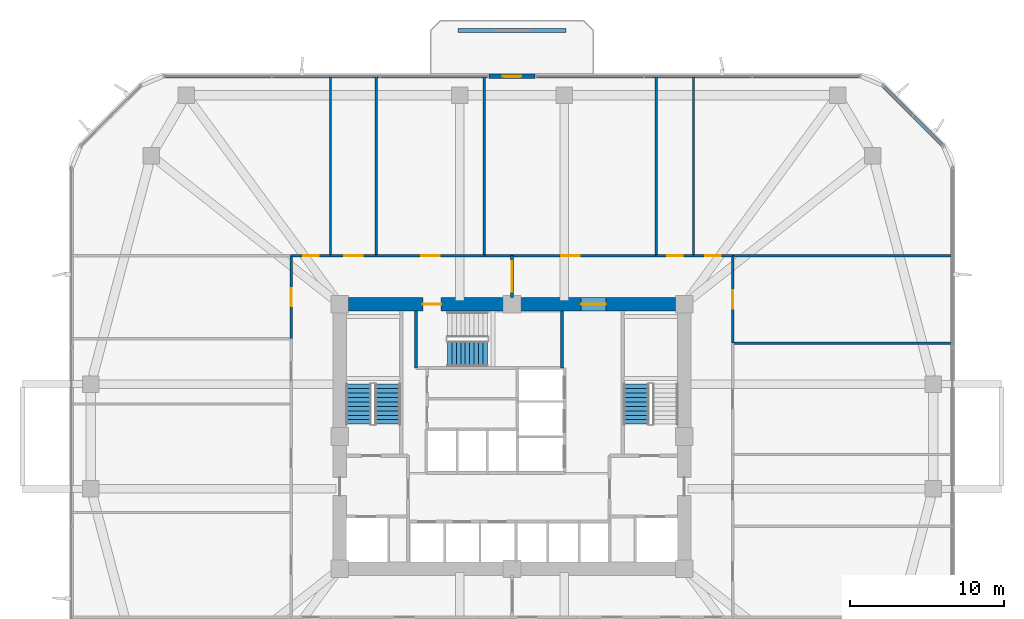
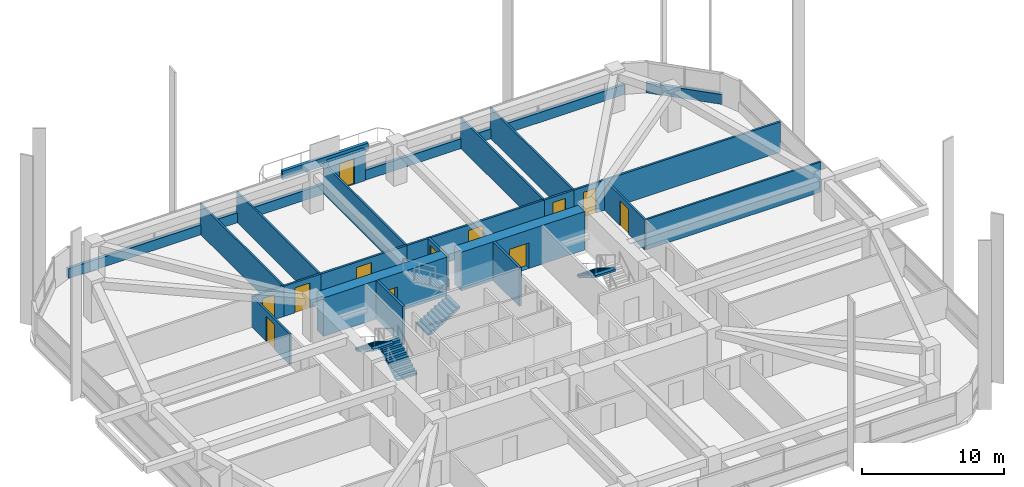
# One storey, part 11 of 17: 25 walls, 12 doors, 4 stair flights, 12 openings, 3 elements without a shape of their own.
"""IFC4 building model written with IfcOpenShell, lengths in metres."""

from ifc_helpers import new_model, si_unit, derived_unit, direction, frame, frame_2d, origin, place, context, subcontext, project, spatial, polyline, rectangle, outline, extrude, material, layer, layer_set, type_object, element, fill, aggregate, save


model = new_model("IFC4")

# Units and contexts
model_context = context("Model", 3, precision=1e-05, world=origin(), true_north=direction((0.0, 1.0)))
body_context = subcontext(model_context, "Body", "Model", "MODEL_VIEW")
ifc_project = project(units=[si_unit("LENGTHUNIT", "METRE"), si_unit("AREAUNIT", "SQUARE_METRE"), si_unit("VOLUMEUNIT", "CUBIC_METRE"), si_unit("PLANEANGLEUNIT", "RADIAN"), si_unit("MASSUNIT", "GRAM", prefix="KILO"), derived_unit("THERMALTRANSMITTANCEUNIT", [(si_unit("POWERUNIT", "WATT"), 1), (si_unit("LENGTHUNIT", "METRE"), -2), (si_unit("THERMODYNAMICTEMPERATUREUNIT", "KELVIN"), -1)])], contexts=[model_context])

# Site, building, storey
site_placement = place(None, origin())
site = spatial("IfcSite", under=ifc_project, at=site_placement, CompositionType="ELEMENT")
building_placement = place(site_placement, origin())
building = spatial("IfcBuilding", under=site, at=building_placement, Name="Koralith Skygarden Medical Center", CompositionType="ELEMENT")
storey_placement = place(building_placement, frame((0.0, 0.0, 38.340087890625)))
storey = spatial("IfcBuildingStorey", under=building, at=storey_placement, Name="L09", CompositionType="ELEMENT", Elevation=38.340087890625)

# Walls
ifc_material_1 = material(Name="Gypsum Board Partition")
ifc_layer_1 = layer(ifc_material_1, 0.14990234375)
ifc_layer_set_1 = layer_set([ifc_layer_1], Name="Gypsum Board Partition")
wall_type_1 = type_object("IfcWallType", Name="Clinical Acoustic Partition 150", PredefinedType="PARTITIONING", material=ifc_layer_set_1)
for number, where, z_axis, x_axis, name in (
    (1, (25.199951171875, 37.64990234375, 0.0), (0.0, 0.0, 1.0), (0.0, 1.0, 0.0), "L09 Clinical Acoustic Partition 150 W-PART-L09-N-01"),
    (2, (28.174072265625, 37.64990234375, 0.0), (0.0, 0.0, 1.0), (0.0, 1.0, 0.0), "L09 Clinical Acoustic Partition 150 W-PART-L09-N-02"),
    (3, (35.199951171875, 37.64990234375, 0.0), (0.0, 0.0, 1.0), (0.0, 1.0, 0.0), "L09 Clinical Acoustic Partition 150 W-PART-L09-N-03"),
    (4, (46.376953125, 37.64990234375, 0.0), (0.0, 0.0, 1.0), (0.0, 1.0, 0.0), "L09 Clinical Acoustic Partition 150 W-PART-L09-N-04"),
    (5, (48.800048828125, 37.64990234375, 0.0), (0.0, 0.0, 1.0), (0.0, 1.0, 0.0), "L09 Clinical Acoustic Partition 150 W-PART-L09-N-05"),
):
    element("IfcWall", number, at=place(storey_placement, frame(where, z_axis=z_axis, x_axis=x_axis)), inside=storey, type_object=wall_type_1, Name=name, PredefinedType="PARTITIONING", context=body_context, shape_type="SweptSolid", body=[
        extrude(rectangle(XDim=11.650146484375, YDim=0.14990234375, at=frame_2d((5.8251953125, 0.0))), origin(), (0.0, 0.0, 1.0), 2.60986328125),
    ])
wall_1_placement = place(storey_placement, frame((51.35009765625, 31.962890625, 0.0), z_axis=(0.0, 0.0, 1.0), x_axis=(1.0, 0.0, 0.0)))
element("IfcWall", 6, at=wall_1_placement, inside=storey, type_object=wall_type_1, Name="L09 Clinical Acoustic Partition 150 W-PART-L09-E-03", PredefinedType="PARTITIONING", context=body_context, shape_type="SweptSolid", body=[
    extrude(rectangle(XDim=14.25, YDim=0.14990234375, at=frame_2d((7.125, 0.0))), origin(), (0.0, 0.0, 1.0), 2.60986328125),
])
ifc_layer_2 = layer(ifc_material_1, 0.1650390625)
ifc_layer_set_2 = layer_set([ifc_layer_2], Name="Gypsum Board Partition")
wall_type_2 = type_object("IfcWallType", Name="Clinical Corridor Partition 165", PredefinedType="PARTITIONING", material=ifc_layer_set_2)
wall_2_placement = place(storey_placement, frame((51.35009765625, 37.64990234375, 0.0), z_axis=(0.0, 0.0, 1.0), x_axis=(1.0, 0.0, 0.0)))
element("IfcWall", 7, at=wall_2_placement, inside=storey, type_object=wall_type_2, Name="L09 Clinical Corridor Partition 165 W-WB-L09-NE", PredefinedType="PARTITIONING", context=body_context, shape_type="SweptSolid", body=[
    extrude(rectangle(XDim=14.25, YDim=0.1650390625, at=frame_2d((7.125, 0.0))), origin(), (0.0, 0.0, 1.0), 2.60986328125),
])

# Wall, opening, door
wall_3_placement = place(storey_placement, frame((22.64990234375, 37.64990234375, 0.0), z_axis=(0.0, 0.0, 1.0), x_axis=(1.0, 0.0, 0.0)))
wall_3 = element("IfcWall", 8, at=wall_3_placement, inside=storey, type_object=wall_type_2, Name="L09 Clinical Corridor Partition 165 W-CORR-L09-N-01", PredefinedType="PARTITIONING", context=body_context, shape_type="SweptSolid", body=[
    extrude(rectangle(XDim=2.550048828125, YDim=0.1650390625, at=frame_2d((1.27490234375, 0.0))), origin(), (0.0, 0.0, 1.0), 2.60986328125),
])
opening_1_placement = place(wall_3_placement, frame((0.77490234375, 0.0, 0.0)))
opening_1 = element("IfcOpeningElement", 9, at=opening_1_placement, cuts=wall_3, Name="Opening D-SUP", PredefinedType="OPENING", context=body_context, shape_type="SweptSolid", body=[
    extrude(rectangle(XDim=1.0, YDim=2.14990234375, at=frame_2d((0.5, 1.074951171875))), frame((0.0, 0.092529296875, 0.0), z_axis=(0.0, -1.0, 0.0), x_axis=(1.0, 0.0, 0.0)), (0.0, 0.0, 1.0), 0.18505859375),
])
ifc_material_2 = material(Name="Aluminium 6063-T6", Category="aluminium")
door_type_1 = type_object("IfcDoorType", Name="Clinical Support Door D-SUP 1000", OperationType="NOTDEFINED", PredefinedType="DOOR", material=ifc_material_2)
door_1_placement = place(opening_1_placement, origin())
door_1 = element("IfcDoor", 10, at=door_1_placement, inside=storey, type_object=door_type_1, Name="L09 Ward Mobility Therapy Exercise Hall 01 Door", OperationType="SINGLE_SWING_RIGHT", OverallHeight=2.14990234375, OverallWidth=1.0, PredefinedType="DOOR", context=body_context, shape_type="SweptSolid", body=[
    extrude(rectangle(XDim=1.0, YDim=2.14990234375, at=frame_2d((0.5, 1.074951171875))), frame((0.0, 0.02490234375, 0.0), z_axis=(0.0, -1.0, 0.0), x_axis=(1.0, 0.0, 0.0)), (0.0, 0.0, 1.0), 0.050048828125),
])
fill(opening_1, door_1)

wall_4_placement = place(storey_placement, frame((25.199951171875, 37.64990234375, 0.0), z_axis=(0.0, 0.0, 1.0), x_axis=(1.0, 0.0, 0.0)))
wall_4 = element("IfcWall", 11, at=wall_4_placement, inside=storey, type_object=wall_type_2, Name="L09 Clinical Corridor Partition 165 W-CORR-L09-N-02", PredefinedType="PARTITIONING", context=body_context, shape_type="SweptSolid", body=[
    extrude(rectangle(XDim=2.97412109375, YDim=0.1650390625, at=frame_2d((1.487060546875, 0.0))), origin(), (0.0, 0.0, 1.0), 2.60986328125),
])
opening_2_placement = place(wall_4_placement, frame((0.886962890625, 0.0, 0.0)))
opening_2 = element("IfcOpeningElement", 12, at=opening_2_placement, cuts=wall_4, Name="Opening D-CLN", PredefinedType="OPENING", context=body_context, shape_type="SweptSolid", body=[
    extrude(rectangle(XDim=1.199951171875, YDim=2.14990234375, at=frame_2d((0.60009765625, 1.074951171875))), frame((0.0, 0.092529296875, 0.0), z_axis=(0.0, -1.0, 0.0), x_axis=(1.0, 0.0, 0.0)), (0.0, 0.0, 1.0), 0.18505859375),
])
door_type_2 = type_object("IfcDoorType", Name="Clinical Corridor Door D-CLN 1200", OperationType="NOTDEFINED", PredefinedType="DOOR", material=ifc_material_2)
door_2_placement = place(opening_2_placement, origin())
door_2 = element("IfcDoor", 13, at=door_2_placement, inside=storey, type_object=door_type_2, Name="L09 Diagnostic Ultrasound Exam Room 02 Door", OperationType="SINGLE_SWING_LEFT", OverallHeight=2.14990234375, OverallWidth=1.199951171875, PredefinedType="DOOR", context=body_context, shape_type="SweptSolid", body=[
    extrude(rectangle(XDim=1.199951171875, YDim=2.14990234375, at=frame_2d((0.60009765625, 1.074951171875))), frame((0.0, 0.02490234375, 0.0), z_axis=(0.0, -1.0, 0.0), x_axis=(1.0, 0.0, 0.0)), (0.0, 0.0, 1.0), 0.050048828125),
])
fill(opening_2, door_2)

wall_5_placement = place(storey_placement, frame((28.174072265625, 37.64990234375, 0.0), z_axis=(0.0, 0.0, 1.0), x_axis=(1.0, 0.0, 0.0)))
wall_5 = element("IfcWall", 14, at=wall_5_placement, inside=storey, type_object=wall_type_2, Name="L09 Clinical Corridor Partition 165 W-CORR-L09-N-03", PredefinedType="PARTITIONING", context=body_context, shape_type="SweptSolid", body=[
    extrude(rectangle(XDim=7.02587890625, YDim=0.1650390625, at=frame_2d((3.512939453125, 0.0))), origin(), (0.0, 0.0, 1.0), 2.60986328125),
])
opening_3_placement = place(wall_5_placement, frame((2.9130859375, 0.0, 0.0)))
opening_3 = element("IfcOpeningElement", 15, at=opening_3_placement, cuts=wall_5, Name="Opening D-CLN", PredefinedType="OPENING", context=body_context, shape_type="SweptSolid", body=[
    extrude(rectangle(XDim=1.199951171875, YDim=2.14990234375, at=frame_2d((0.60009765625, 1.074951171875))), frame((0.0, 0.092529296875, 0.0), z_axis=(0.0, -1.0, 0.0), x_axis=(1.0, 0.0, 0.0)), (0.0, 0.0, 1.0), 0.18505859375),
])
door_3_placement = place(opening_3_placement, origin())
door_3 = element("IfcDoor", 16, at=door_3_placement, inside=storey, type_object=door_type_2, Name="L09 Multidisciplinary Huddle Room 03 Door", OperationType="SINGLE_SWING_RIGHT", OverallHeight=2.14990234375, OverallWidth=1.199951171875, PredefinedType="DOOR", context=body_context, shape_type="SweptSolid", body=[
    extrude(rectangle(XDim=1.199951171875, YDim=2.14990234375, at=frame_2d((0.60009765625, 1.074951171875))), frame((0.0, 0.02490234375, 0.0), z_axis=(0.0, -1.0, 0.0), x_axis=(1.0, 0.0, 0.0)), (0.0, 0.0, 1.0), 0.050048828125),
])
fill(opening_3, door_3)

wall_6_placement = place(storey_placement, frame((35.199951171875, 37.64990234375, 0.0), z_axis=(0.0, 0.0, 1.0), x_axis=(1.0, 0.0, 0.0)))
wall_6 = element("IfcWall", 17, at=wall_6_placement, inside=storey, type_object=wall_type_2, Name="L09 Clinical Corridor Partition 165 W-CORR-L09-N-04", PredefinedType="PARTITIONING", context=body_context, shape_type="SweptSolid", body=[
    extrude(rectangle(XDim=11.177001953125, YDim=0.1650390625, at=frame_2d((5.58837890625, 0.0))), origin(), (0.0, 0.0, 1.0), 2.60986328125),
])
opening_4_placement = place(wall_6_placement, frame((4.989013671875, 0.0, 0.0)))
opening_4 = element("IfcOpeningElement", 18, at=opening_4_placement, cuts=wall_6, Name="Opening D-CLN", PredefinedType="OPENING", context=body_context, shape_type="SweptSolid", body=[
    extrude(rectangle(XDim=1.199951171875, YDim=2.14990234375, at=frame_2d((0.60009765625, 1.074951171875))), frame((0.0, 0.092529296875, 0.0), z_axis=(0.0, -1.0, 0.0), x_axis=(1.0, 0.0, 0.0)), (0.0, 0.0, 1.0), 0.18505859375),
])
door_4_placement = place(opening_4_placement, origin())
door_4 = element("IfcDoor", 19, at=door_4_placement, inside=storey, type_object=door_type_2, Name="L09 Patient and Family Sky-Garden Day Lounge 04 Door", OperationType="SINGLE_SWING_LEFT", OverallHeight=2.14990234375, OverallWidth=1.199951171875, PredefinedType="DOOR", context=body_context, shape_type="SweptSolid", body=[
    extrude(rectangle(XDim=1.199951171875, YDim=2.14990234375, at=frame_2d((0.60009765625, 1.074951171875))), frame((0.0, 0.02490234375, 0.0), z_axis=(0.0, -1.0, 0.0), x_axis=(1.0, 0.0, 0.0)), (0.0, 0.0, 1.0), 0.050048828125),
])
fill(opening_4, door_4)

wall_7_placement = place(storey_placement, frame((46.376953125, 37.64990234375, 0.0), z_axis=(0.0, 0.0, 1.0), x_axis=(1.0, 0.0, 0.0)))
wall_7 = element("IfcWall", 20, at=wall_7_placement, inside=storey, type_object=wall_type_2, Name="L09 Clinical Corridor Partition 165 W-CORR-L09-N-05", PredefinedType="PARTITIONING", context=body_context, shape_type="SweptSolid", body=[
    extrude(rectangle(XDim=2.423095703125, YDim=0.1650390625, at=frame_2d((1.21142578125, 0.0))), origin(), (0.0, 0.0, 1.0), 2.60986328125),
])
opening_5_placement = place(wall_7_placement, frame((0.7109375, 0.0, 0.0)))
opening_5 = element("IfcOpeningElement", 21, at=opening_5_placement, cuts=wall_7, Name="Opening D-SUP", PredefinedType="OPENING", context=body_context, shape_type="SweptSolid", body=[
    extrude(rectangle(XDim=1.0, YDim=2.14990234375, at=frame_2d((0.5, 1.074951171875))), frame((0.0, 0.092529296875, 0.0), z_axis=(0.0, -1.0, 0.0), x_axis=(1.0, 0.0, 0.0)), (0.0, 0.0, 1.0), 0.18505859375),
])
door_5_placement = place(opening_5_placement, origin())
door_5 = element("IfcDoor", 22, at=door_5_placement, inside=storey, type_object=door_type_1, Name="L09 Public Accessible Restroom WC 05 Door", OperationType="SINGLE_SWING_RIGHT", OverallHeight=2.14990234375, OverallWidth=1.0, PredefinedType="DOOR", context=body_context, shape_type="SweptSolid", body=[
    extrude(rectangle(XDim=1.0, YDim=2.14990234375, at=frame_2d((0.5, 1.074951171875))), frame((0.0, 0.02490234375, 0.0), z_axis=(0.0, -1.0, 0.0), x_axis=(1.0, 0.0, 0.0)), (0.0, 0.0, 1.0), 0.050048828125),
])
fill(opening_5, door_5)

wall_8_placement = place(storey_placement, frame((48.800048828125, 37.64990234375, 0.0), z_axis=(0.0, 0.0, 1.0), x_axis=(1.0, 0.0, 0.0)))
wall_8 = element("IfcWall", 23, at=wall_8_placement, inside=storey, type_object=wall_type_2, Name="L09 Clinical Corridor Partition 165 W-CORR-L09-N-06", PredefinedType="PARTITIONING", context=body_context, shape_type="SweptSolid", body=[
    extrude(rectangle(XDim=2.550048828125, YDim=0.1650390625, at=frame_2d((1.27490234375, 0.0))), origin(), (0.0, 0.0, 1.0), 2.60986328125),
])
opening_6_placement = place(wall_8_placement, frame((0.77490234375, 0.0, 0.0)))
opening_6 = element("IfcOpeningElement", 24, at=opening_6_placement, cuts=wall_8, Name="Opening D-SUP", PredefinedType="OPENING", context=body_context, shape_type="SweptSolid", body=[
    extrude(rectangle(XDim=1.0, YDim=2.14990234375, at=frame_2d((0.5, 1.074951171875))), frame((0.0, 0.092529296875, 0.0), z_axis=(0.0, -1.0, 0.0), x_axis=(1.0, 0.0, 0.0)), (0.0, 0.0, 1.0), 0.18505859375),
])
door_6_placement = place(opening_6_placement, origin())
door_6 = element("IfcDoor", 25, at=door_6_placement, inside=storey, type_object=door_type_1, Name="L09 Ward Mobility Therapy Exercise Hall 06 Door", OperationType="SINGLE_SWING_LEFT", OverallHeight=2.14990234375, OverallWidth=1.0, PredefinedType="DOOR", context=body_context, shape_type="SweptSolid", body=[
    extrude(rectangle(XDim=1.0, YDim=2.14990234375, at=frame_2d((0.5, 1.074951171875))), frame((0.0, 0.02490234375, 0.0), z_axis=(0.0, -1.0, 0.0), x_axis=(1.0, 0.0, 0.0)), (0.0, 0.0, 1.0), 0.050048828125),
])
fill(opening_6, door_6)

wall_9_placement = place(storey_placement, frame((22.64990234375, 32.25390625, 0.0), z_axis=(0.0, 0.0, 1.0), x_axis=(0.0, 1.0, 0.0)))
wall_9 = element("IfcWall", 26, at=wall_9_placement, inside=storey, type_object=wall_type_2, Name="L09 Clinical Corridor Partition 165 W-CORR-L09-W-04", PredefinedType="PARTITIONING", context=body_context, shape_type="SweptSolid", body=[
    extrude(rectangle(XDim=5.39599609375, YDim=0.1650390625, at=frame_2d((2.697998046875, 0.0))), origin(), (0.0, 0.0, 1.0), 2.60986328125),
])
opening_7_placement = place(wall_9_placement, frame((2.097900390625, 0.0, 0.0)))
opening_7 = element("IfcOpeningElement", 27, at=opening_7_placement, cuts=wall_9, Name="Opening D-CLN", PredefinedType="OPENING", context=body_context, shape_type="SweptSolid", body=[
    extrude(rectangle(XDim=1.199951171875, YDim=2.14990234375, at=frame_2d((0.60009765625, 1.074951171875))), frame((0.0, 0.092529296875, 0.0), z_axis=(0.0, -1.0, 0.0), x_axis=(1.0, 0.0, 0.0)), (0.0, 0.0, 1.0), 0.18505859375),
])
door_7_placement = place(opening_7_placement, frame((1.199951171875, 0.0, 0.0), z_axis=(0.0, 0.0, 1.0), x_axis=(-1.0, 0.0, 0.0)))
door_7 = element("IfcDoor", 28, at=door_7_placement, inside=storey, type_object=door_type_2, Name="L09 Diagnostic Ultrasound Exam Room 16 Door", OperationType="SINGLE_SWING_LEFT", OverallHeight=2.14990234375, OverallWidth=1.199951171875, PredefinedType="DOOR", context=body_context, shape_type="SweptSolid", body=[
    extrude(rectangle(XDim=1.199951171875, YDim=2.14990234375, at=frame_2d((0.60009765625, 1.074951171875))), frame((0.0, 0.02490234375, 0.0), z_axis=(0.0, -1.0, 0.0), x_axis=(1.0, 0.0, 0.0)), (0.0, 0.0, 1.0), 0.050048828125),
])
fill(opening_7, door_7)

wall_10_placement = place(storey_placement, frame((51.35009765625, 31.962890625, 0.0), z_axis=(0.0, 0.0, 1.0), x_axis=(0.0, 1.0, 0.0)))
wall_10 = element("IfcWall", 29, at=wall_10_placement, inside=storey, type_object=wall_type_2, Name="L09 Clinical Corridor Partition 165 W-CORR-L09-E-04", PredefinedType="PARTITIONING", context=body_context, shape_type="SweptSolid", body=[
    extrude(rectangle(XDim=5.68701171875, YDim=0.1650390625, at=frame_2d((2.843505859375, 0.0))), origin(), (0.0, 0.0, 1.0), 2.60986328125),
])
opening_8_placement = place(wall_10_placement, frame((2.242919921875, 0.0, 0.0)))
opening_8 = element("IfcOpeningElement", 30, at=opening_8_placement, cuts=wall_10, Name="Opening D-CLN", PredefinedType="OPENING", context=body_context, shape_type="SweptSolid", body=[
    extrude(rectangle(XDim=1.199951171875, YDim=2.14990234375, at=frame_2d((0.60009765625, 1.074951171875))), frame((0.0, 0.092529296875, 0.0), z_axis=(0.0, -1.0, 0.0), x_axis=(1.0, 0.0, 0.0)), (0.0, 0.0, 1.0), 0.18505859375),
])
door_8_placement = place(opening_8_placement, origin())
door_8 = element("IfcDoor", 31, at=door_8_placement, inside=storey, type_object=door_type_2, Name="L09 Diagnostic Ultrasound Exam Room 20 Door", OperationType="SINGLE_SWING_LEFT", OverallHeight=2.14990234375, OverallWidth=1.199951171875, PredefinedType="DOOR", context=body_context, shape_type="SweptSolid", body=[
    extrude(rectangle(XDim=1.199951171875, YDim=2.14990234375, at=frame_2d((0.60009765625, 1.074951171875))), frame((0.0, 0.02490234375, 0.0), z_axis=(0.0, -1.0, 0.0), x_axis=(1.0, 0.0, 0.0)), (0.0, 0.0, 1.0), 0.050048828125),
])
fill(opening_8, door_8)

ifc_layer_3 = layer(ifc_material_1, 0.179931640625)
ifc_layer_set_3 = layer_set([ifc_layer_3], Name="Gypsum Board Partition")
wall_type_3 = type_object("IfcWallType", Name="Group I-2 Smoke Barrier Wall 180", PredefinedType="PARTITIONING", material=ifc_layer_set_3)
wall_11_placement = place(storey_placement, frame((37.0, 34.949951171875, 0.0), z_axis=(0.0, 0.0, 1.0), x_axis=(0.0, 1.0, 0.0)))
wall_11 = element("IfcWall", 32, at=wall_11_placement, inside=storey, type_object=wall_type_3, Name="L09 Group I-2 Smoke Barrier Wall 180 W-SMK-L09-N", PredefinedType="PARTITIONING", context=body_context, shape_type="SweptSolid", body=[
    extrude(rectangle(XDim=2.699951171875, YDim=0.179931640625, at=frame_2d((1.35009765625, 0.0))), origin(), (0.0, 0.0, 1.0), 2.60986328125),
])
opening_9_placement = place(wall_11_placement, frame((0.35009765625, 0.0, 0.0)))
opening_9 = element("IfcOpeningElement", 33, at=opening_9_placement, cuts=wall_11, Name="Opening D-SMK", PredefinedType="OPENING", context=body_context, shape_type="SweptSolid", body=[
    extrude(rectangle(XDim=2.0, YDim=2.199951171875, at=frame_2d((1.0, 1.10009765625))), frame((0.0, 0.099853515625, 0.0), z_axis=(0.0, -1.0, 0.0), x_axis=(1.0, 0.0, 0.0)), (0.0, 0.0, 1.0), 0.199951171875),
])
ifc_material_3 = material(Name="Steel ASTM A500 Grade C", Category="steel")
door_type_3 = type_object("IfcDoorType", Name="Cross-Corridor Double Smoke Door FD60S 2000", OperationType="NOTDEFINED", PredefinedType="DOOR", material=ifc_material_3)
door_9_placement = place(opening_9_placement, origin())
door_9 = element("IfcDoor", 34, at=door_9_placement, inside=storey, type_object=door_type_3, Name="L09 N Smoke Compartment Cross-Corridor Door", OperationType="DOUBLE_DOOR_SINGLE_SWING", OverallHeight=2.199951171875, OverallWidth=2.0, PredefinedType="DOOR", context=body_context, shape_type="SweptSolid", body=[
    extrude(rectangle(XDim=2.0, YDim=2.199951171875, at=frame_2d((1.0, 1.10009765625))), frame((0.0, 0.02490234375, 0.0), z_axis=(0.0, -1.0, 0.0), x_axis=(1.0, 0.0, 0.0)), (0.0, 0.0, 1.0), 0.050048828125),
])
fill(opening_9, door_9)

# Walls
ifc_material_4 = material(Name="Warm Oolitic Limestone Cladding", Category="masonry")
ifc_layer_4 = layer(ifc_material_4, 0.239990234375)
ifc_layer_set_4 = layer_set([ifc_layer_4], Name="Warm Oolitic Limestone Cladding")
wall_type_4 = type_object("IfcWallType", Name="Limestone Spandrel Sill Backup Wall 240", PredefinedType="SOLIDWALL", material=ifc_layer_set_4)
wall_12_placement = place(storey_placement, frame((65.01904296875, 44.7958984375, 0.0), z_axis=(0.0, 0.0, 1.0), x_axis=(-0.707106781187, 0.707106781187, 0.0)))
element("IfcWall", 35, at=wall_12_placement, inside=storey, type_object=wall_type_4, Name="L09 Sill Spandrel NE", PredefinedType="SOLIDWALL", context=body_context, shape_type="SweptSolid", body=[
    extrude(rectangle(XDim=5.548095703125, YDim=0.239990234375, at=frame_2d((2.77392578125, 0.0))), origin(), (0.0, 0.0, 1.0), 0.849853515625),
])
for number, where, z_axis, x_axis, name in (
    (36, (59.64501953125, 49.320068359375, 0.0), (0.0, 0.0, 1.0), (-1.0, 0.0, 0.0), "L09 Sill Spandrel N-L"),
    (37, (35.4599609375, 49.320068359375, 0.0), (0.0, 0.0, 1.0), (-1.0, 0.0, 0.0), "L09 Sill Spandrel N-R"),
):
    element("IfcWall", number, at=place(storey_placement, frame(where, z_axis=z_axis, x_axis=x_axis)), inside=storey, type_object=wall_type_4, Name=name, PredefinedType="SOLIDWALL", context=body_context, shape_type="SweptSolid", body=[
        extrude(rectangle(XDim=21.10498046875, YDim=0.239990234375, at=frame_2d((10.552490234375, 0.0))), origin(), (0.0, 0.0, 1.0), 0.849853515625),
    ])

# Wall, opening, door
ifc_material_5 = material(Name="Concrete C70/85", Category="concrete")
ifc_layer_5 = layer(ifc_material_5, 0.89990234375)
ifc_layer_set_5 = layer_set([ifc_layer_5], Name="Concrete C70/85")
wall_type_5 = type_object("IfcWallType", Name="Lower Core Shear Wall 900", PredefinedType="SHEAR", material=ifc_layer_set_5)
wall_13_placement = place(storey_placement, frame((47.635009765625, 34.5, 0.0), z_axis=(0.0, 0.0, 1.0), x_axis=(-1.0, 0.0, 0.0)))
wall_13 = element("IfcWall", 38, at=wall_13_placement, inside=storey, type_object=wall_type_5, Name="L09 Core Shear Wall Segment 5", PredefinedType="SHEAR", context=body_context, shape_type="SweptSolid", body=[
    extrude(rectangle(XDim=10.070068359375, YDim=0.89990234375, at=frame_2d((5.03515625, 0.0))), origin(), (0.0, 0.0, 1.0), 3.31982421875),
])
opening_10_placement = place(wall_13_placement, frame((4.534912109375, 0.0, 0.0)))
opening_10 = element("IfcOpeningElement", 39, at=opening_10_placement, cuts=wall_13, Name="Opening D-DBL", PredefinedType="OPENING", context=body_context, shape_type="SweptSolid", body=[
    extrude(rectangle(XDim=1.60009765625, YDim=2.199951171875, at=frame_2d((0.800048828125, 1.10009765625))), frame((0.0, 0.4599609375, 0.0), z_axis=(0.0, -1.0, 0.0), x_axis=(1.0, 0.0, 0.0)), (0.0, 0.0, 1.0), 0.919921875),
])
door_type_4 = type_object("IfcDoorType", Name="Double Clinical Suite Door D-DBL 1600", OperationType="NOTDEFINED", PredefinedType="DOOR", material=ifc_material_2)
door_10_placement = place(opening_10_placement, frame((1.60009765625, 0.0, 0.0), z_axis=(0.0, 0.0, 1.0), x_axis=(-1.0, 0.0, 0.0)))
door_10 = element("IfcDoor", 40, at=door_10_placement, inside=storey, type_object=door_type_4, Name="L09 North-East Corridor to Elevator Lobby Door", OperationType="DOUBLE_DOOR_SINGLE_SWING", OverallHeight=2.199951171875, OverallWidth=1.60009765625, PredefinedType="DOOR", context=body_context, shape_type="SweptSolid", body=[
    extrude(rectangle(XDim=1.60009765625, YDim=2.199951171875, at=frame_2d((0.800048828125, 1.10009765625))), frame((0.0, 0.02490234375, 0.0), z_axis=(0.0, -1.0, 0.0), x_axis=(1.0, 0.0, 0.0)), (0.0, 0.0, 1.0), 0.050048828125),
])
fill(opening_10, door_10)

wall_14_placement = place(storey_placement, frame((36.43505859375, 34.5, 0.0), z_axis=(0.0, 0.0, 1.0), x_axis=(-1.0, 0.0, 0.0)))
wall_14 = element("IfcWall", 41, at=wall_14_placement, inside=storey, type_object=wall_type_5, Name="L09 Core Shear Wall Segment 6", PredefinedType="SHEAR", context=body_context, shape_type="SweptSolid", body=[
    extrude(rectangle(XDim=10.070068359375, YDim=0.89990234375, at=frame_2d((5.03515625, 0.0))), origin(), (0.0, 0.0, 1.0), 3.31982421875),
])
opening_11_placement = place(wall_14_placement, frame((4.034912109375, 0.0, 0.0)))
opening_11 = element("IfcOpeningElement", 42, at=opening_11_placement, cuts=wall_14, Name="Opening D-ST60", PredefinedType="OPENING", context=body_context, shape_type="SweptSolid", body=[
    extrude(rectangle(XDim=1.199951171875, YDim=2.14990234375, at=frame_2d((0.60009765625, 1.074951171875))), frame((0.0, 0.4599609375, 0.0), z_axis=(0.0, -1.0, 0.0), x_axis=(1.0, 0.0, 0.0)), (0.0, 0.0, 1.0), 0.919921875),
])
door_type_5 = type_object("IfcDoorType", Name="Smokeproof Stair Fire Door FD60S 1200", OperationType="NOTDEFINED", PredefinedType="DOOR", material=ifc_material_3)
door_11_placement = place(opening_11_placement, frame((1.199951171875, 0.0, 0.0), z_axis=(0.0, 0.0, 1.0), x_axis=(-1.0, 0.0, 0.0)))
door_11 = element("IfcDoor", 43, at=door_11_placement, inside=storey, type_object=door_type_5, Name="L09 Exit Stair ST3 Fire Door", OperationType="SINGLE_SWING_LEFT", OverallHeight=2.14990234375, OverallWidth=1.199951171875, PredefinedType="DOOR", context=body_context, shape_type="SweptSolid", body=[
    extrude(rectangle(XDim=1.199951171875, YDim=2.14990234375, at=frame_2d((0.60009765625, 1.074951171875))), frame((0.0, 0.02490234375, 0.0), z_axis=(0.0, -1.0, 0.0), x_axis=(1.0, 0.0, 0.0)), (0.0, 0.0, 1.0), 0.050048828125),
])
fill(opening_11, door_11)

ifc_layer_6 = layer(ifc_material_4, 0.300048828125)
ifc_layer_set_6 = layer_set([ifc_layer_6], Name="Warm Oolitic Limestone Cladding")
wall_type_6 = type_object("IfcWallType", Name="Oolitic Limestone Insulated Facade Wall 300", PredefinedType="SOLIDWALL", material=ifc_layer_set_6)
wall_15_placement = place(storey_placement, frame((38.5, 49.320068359375, 0.0), z_axis=(0.0, 0.0, 1.0), x_axis=(-1.0, 0.0, 0.0)))
wall_15 = element("IfcWall", 44, at=wall_15_placement, inside=storey, type_object=wall_type_6, Name="L09 Terrace Portal Wall N", PredefinedType="SOLIDWALL", context=body_context, shape_type="SweptSolid", body=[
    extrude(rectangle(XDim=3.0, YDim=0.300048828125, at=frame_2d((1.5, 0.0))), origin(), (0.0, 0.0, 1.0), 2.64990234375),
])
opening_12_placement = place(wall_15_placement, frame((0.89990234375, 0.0, 0.0)))
opening_12 = element("IfcOpeningElement", 45, at=opening_12_placement, cuts=wall_15, Name="Opening D-BAL", PredefinedType="OPENING", context=body_context, shape_type="SweptSolid", body=[
    extrude(rectangle(XDim=1.199951171875, YDim=2.199951171875, at=frame_2d((0.60009765625, 1.10009765625))), frame((0.0, 0.159912109375, 0.0), z_axis=(0.0, -1.0, 0.0), x_axis=(1.0, 0.0, 0.0)), (0.0, 0.0, 1.0), 0.320068359375),
])
door_type_6 = type_object("IfcDoorType", Name="Planted Balcony Glazed Terrace Door D-BAL 1200", OperationType="NOTDEFINED", PredefinedType="DOOR", material=ifc_material_2)
door_12_placement = place(opening_12_placement, origin())
door_12 = element("IfcDoor", 46, at=door_12_placement, inside=storey, type_object=door_type_6, Name="L09 N Outdoor Terrace Access Door", OperationType="SINGLE_SWING_RIGHT", OverallHeight=2.199951171875, OverallWidth=1.199951171875, PredefinedType="DOOR", context=body_context, shape_type="SweptSolid", body=[
    extrude(rectangle(XDim=1.199951171875, YDim=2.199951171875, at=frame_2d((0.60009765625, 1.10009765625))), frame((0.0, 0.02490234375, 0.0), z_axis=(0.0, -1.0, 0.0), x_axis=(1.0, 0.0, 0.0)), (0.0, 0.0, 1.0), 0.050048828125),
])
fill(opening_12, door_12)

# Walls
ifc_material_6 = material(Name="Precast concrete C40/50", Category="concrete")
ifc_layer_7 = layer(ifc_material_6, 0.25)
ifc_layer_set_7 = layer_set([ifc_layer_7], Name="Precast concrete C40/50")
wall_type_7 = type_object("IfcWallType", Name="Structural Concrete Balcony Planter Kerb 250", PredefinedType="PARAPET", material=ifc_layer_set_7)
wall_16_placement = place(storey_placement, frame((33.5, 52.300048828125, 0.0), z_axis=(0.0, 0.0, 1.0), x_axis=(1.0, 0.0, 0.0)))
element("IfcWall", 47, at=wall_16_placement, inside=storey, type_object=wall_type_7, Name="L09 N Structural Tree PLANTER Box", PredefinedType="PARAPET", context=body_context, shape_type="SweptSolid", body=[
    extrude(rectangle(XDim=7.0, YDim=0.25, at=frame_2d((3.5, 0.0))), origin(), (0.0, 0.0, 1.0), 0.719970703125),
])
ifc_material_7 = material(Name="Concrete C45/55", Category="concrete")
ifc_layer_8 = layer(ifc_material_7, 0.199951171875)
ifc_layer_set_8 = layer_set([ifc_layer_8], Name="Concrete C45/55")
wall_type_8 = type_object("IfcWallType", Name="Structural Stair Shaft Wall 200", PredefinedType="SHEAR", material=ifc_layer_set_8)
for number, where, z_axis, x_axis, name in (
    (48, (30.75, 30.360107421875, 0.0), (0.0, 0.0, 1.0), (0.0, 1.0, 0.0), "L09 Structural Stair Shaft Wall 200 W-CORE-L09-ST3-W"),
    (49, (40.25, 30.360107421875, 0.0), (0.0, 0.0, 1.0), (0.0, 1.0, 0.0), "L09 Structural Stair Shaft Wall 200 W-CORE-L09-ST3-E"),
):
    element("IfcWall", number, at=place(storey_placement, frame(where, z_axis=z_axis, x_axis=x_axis)), inside=storey, type_object=wall_type_8, Name=name, PredefinedType="SHEAR", context=body_context, shape_type="SweptSolid", body=[
        extrude(rectangle(XDim=3.68994140625, YDim=0.199951171875, at=frame_2d((1.844970703125, 0.0))), origin(), (0.0, 0.0, 1.0), 3.31982421875),
    ])

# Stair, stair flights
stair_type = type_object("IfcStairType", Name="Core Exit Dogleg Concrete Stair", PredefinedType="HALF_TURN_STAIR", material=ifc_material_7)
stair_1_placement = place(storey_placement, origin())
stair_1 = element("IfcStair", 50, at=stair_1_placement, inside=storey, type_object=stair_type, Name="L09 Smokeproof Exit Stair ST1", PredefinedType="HALF_TURN_STAIR")
stair_flight_type = type_object("IfcStairFlightType", Name="Core Exit Concrete Stair Flight 1650", PredefinedType="STRAIGHT", material=ifc_material_7)
stair_flight_1_placement = place(storey_placement, frame((28.925048828125, 26.699951171875, 0.0), z_axis=(0.0, 0.0, 1.0), x_axis=(0.0, 1.0, 0.0)))
stair_flight_1 = element("IfcStairFlight", 51, at=stair_flight_1_placement, type_object=stair_flight_type, Name="ST1 flight 1", NumberOfRisers=10, NumberOfTreads=9, PredefinedType="STRAIGHT", RiserHeight=0.18, TreadLength=0.29, context=body_context, shape_type="SweptSolid", body=[
    extrude(outline(polyline([(0.0, 0.0), (0.0, 0.179931640625), (0.2900390625, 0.179931640625), (0.2900390625, 0.360107421875), (0.580078125, 0.360107421875), (0.580078125, 0.5400390625), (0.8701171875, 0.5400390625), (0.8701171875, 0.719970703125), (1.159912109375, 0.719970703125), (1.159912109375, 0.89990234375), (1.449951171875, 0.89990234375), (1.449951171875, 1.080078125), (1.739990234375, 1.080078125), (1.739990234375, 1.260009765625), (2.030029296875, 1.260009765625), (2.030029296875, 1.43994140625), (2.320068359375, 1.43994140625), (2.320068359375, 1.6201171875), (2.610107421875, 1.6201171875), (2.610107421875, 1.800048828125), (2.610107421875, 1.443603515625), (0.2841796875, 0.0), (0.0, 0.0)])), frame((0.0, 0.824951171875, 0.0), z_axis=(0.0, -1.0, 0.0), x_axis=(1.0, 0.0, 0.0)), (0.0, 0.0, 1.0), 1.64990234375),
])
stair_flight_2_placement = place(storey_placement, frame((27.02490234375, 29.31005859375, 1.7998046875), z_axis=(0.0, 0.0, 1.0), x_axis=(0.0, -1.0, 0.0)))
stair_flight_2 = element("IfcStairFlight", 52, at=stair_flight_2_placement, type_object=stair_flight_type, Name="ST1 flight 2", NumberOfRisers=10, NumberOfTreads=9, PredefinedType="STRAIGHT", RiserHeight=0.18, TreadLength=0.29, context=body_context, shape_type="SweptSolid", body=[
    extrude(outline(polyline([(0.0, 0.0), (0.0, 0.179931640625), (0.2900390625, 0.179931640625), (0.2900390625, 0.360107421875), (0.580078125, 0.360107421875), (0.580078125, 0.5400390625), (0.8701171875, 0.5400390625), (0.8701171875, 0.719970703125), (1.159912109375, 0.719970703125), (1.159912109375, 0.89990234375), (1.449951171875, 0.89990234375), (1.449951171875, 1.080078125), (1.739990234375, 1.080078125), (1.739990234375, 1.260009765625), (2.030029296875, 1.260009765625), (2.030029296875, 1.43994140625), (2.320068359375, 1.43994140625), (2.320068359375, 1.6201171875), (2.610107421875, 1.6201171875), (2.610107421875, 1.800048828125), (2.610107421875, 1.443603515625), (0.2841796875, 0.0), (0.0, 0.0)])), frame((0.0, 0.824951171875, 0.0), z_axis=(0.0, -1.0, 0.0), x_axis=(1.0, 0.0, 0.0)), (0.0, 0.0, 1.0), 1.64990234375),
])
aggregate(stair_1, [stair_flight_1, stair_flight_2])

# Stair, stair flight
stair_2_placement = place(storey_placement, origin())
stair_2 = element("IfcStair", 53, at=stair_2_placement, inside=storey, type_object=stair_type, Name="L09 Smokeproof Exit Stair ST2", PredefinedType="HALF_TURN_STAIR")
stair_flight_3_placement = place(storey_placement, frame((45.074951171875, 29.31005859375, 1.7998046875), z_axis=(0.0, 0.0, 1.0), x_axis=(0.0, -1.0, 0.0)))
stair_flight_3 = element("IfcStairFlight", 54, at=stair_flight_3_placement, type_object=stair_flight_type, Name="ST2 flight 2", NumberOfRisers=10, NumberOfTreads=9, PredefinedType="STRAIGHT", RiserHeight=0.18, TreadLength=0.29, context=body_context, shape_type="SweptSolid", body=[
    extrude(outline(polyline([(0.0, 0.0), (0.0, 0.179931640625), (0.2900390625, 0.179931640625), (0.2900390625, 0.360107421875), (0.580078125, 0.360107421875), (0.580078125, 0.5400390625), (0.8701171875, 0.5400390625), (0.8701171875, 0.719970703125), (1.159912109375, 0.719970703125), (1.159912109375, 0.89990234375), (1.449951171875, 0.89990234375), (1.449951171875, 1.080078125), (1.739990234375, 1.080078125), (1.739990234375, 1.260009765625), (2.030029296875, 1.260009765625), (2.030029296875, 1.43994140625), (2.320068359375, 1.43994140625), (2.320068359375, 1.6201171875), (2.610107421875, 1.6201171875), (2.610107421875, 1.800048828125), (2.610107421875, 1.443603515625), (0.2841796875, 0.0), (0.0, 0.0)])), frame((0.0, 0.824951171875, 0.0), z_axis=(0.0, -1.0, 0.0), x_axis=(1.0, 0.0, 0.0)), (0.0, 0.0, 1.0), 1.64990234375),
])
aggregate(stair_2, [stair_flight_3])

stair_3_placement = place(storey_placement, origin())
stair_3 = element("IfcStair", 55, at=stair_3_placement, inside=storey, type_object=stair_type, Name="L09 Smokeproof Exit Stair ST3", PredefinedType="HALF_TURN_STAIR")
stair_flight_4_placement = place(storey_placement, frame((32.800048828125, 31.27490234375, 0.0), z_axis=(0.0, 0.0, 1.0), x_axis=(1.0, 0.0, 0.0)))
stair_flight_4 = element("IfcStairFlight", 56, at=stair_flight_4_placement, type_object=stair_flight_type, Name="ST3 flight 1", NumberOfRisers=10, NumberOfTreads=9, PredefinedType="STRAIGHT", RiserHeight=0.18, TreadLength=0.29, context=body_context, shape_type="SweptSolid", body=[
    extrude(outline(polyline([(0.0, 0.0), (0.0, 0.179931640625), (0.2900390625, 0.179931640625), (0.2900390625, 0.360107421875), (0.580078125, 0.360107421875), (0.580078125, 0.5400390625), (0.8701171875, 0.5400390625), (0.8701171875, 0.719970703125), (1.159912109375, 0.719970703125), (1.159912109375, 0.89990234375), (1.449951171875, 0.89990234375), (1.449951171875, 1.080078125), (1.739990234375, 1.080078125), (1.739990234375, 1.260009765625), (2.030029296875, 1.260009765625), (2.030029296875, 1.43994140625), (2.320068359375, 1.43994140625), (2.320068359375, 1.6201171875), (2.610107421875, 1.6201171875), (2.610107421875, 1.800048828125), (2.610107421875, 1.443603515625), (0.2841796875, 0.0), (0.0, 0.0)])), frame((0.0, 0.824951171875, 0.0), z_axis=(0.0, -1.0, 0.0), x_axis=(1.0, 0.0, 0.0)), (0.0, 0.0, 1.0), 1.64990234375),
])
aggregate(stair_3, [stair_flight_4])

save(model, "model.ifc")
